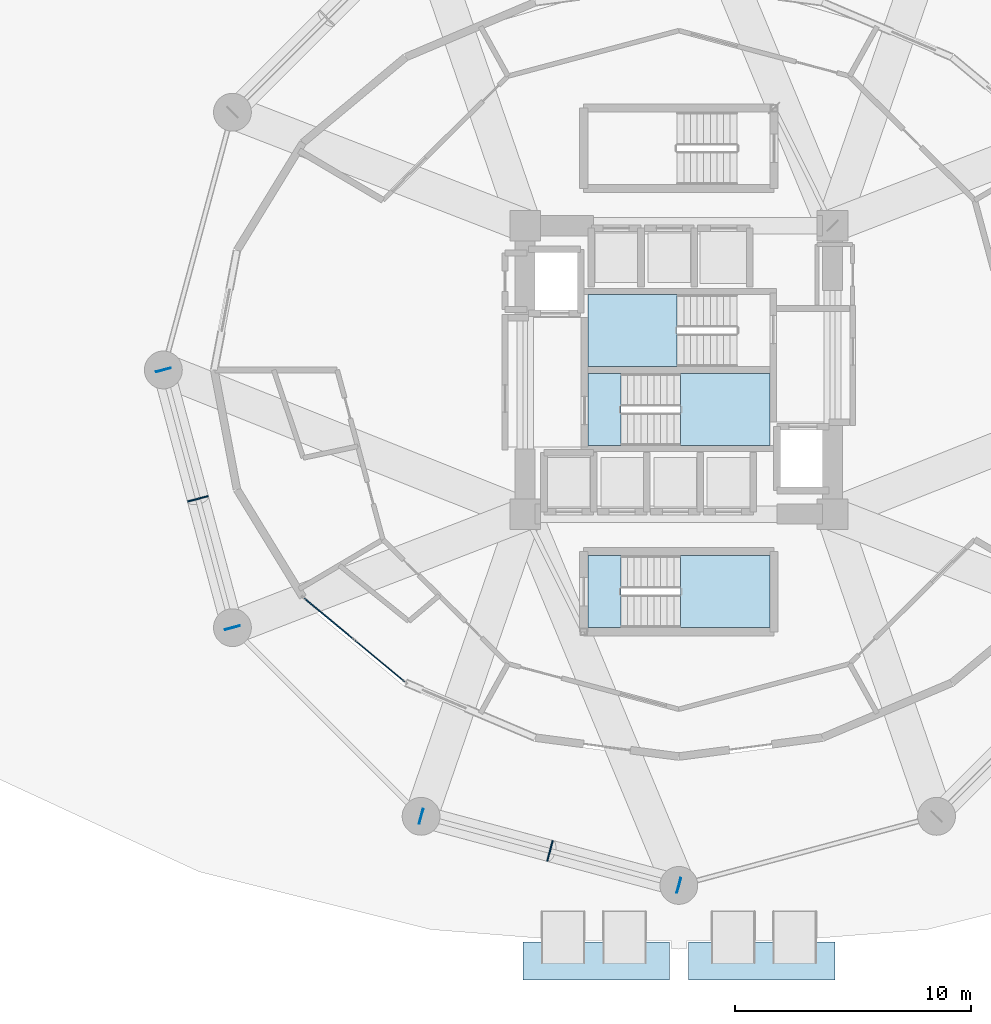
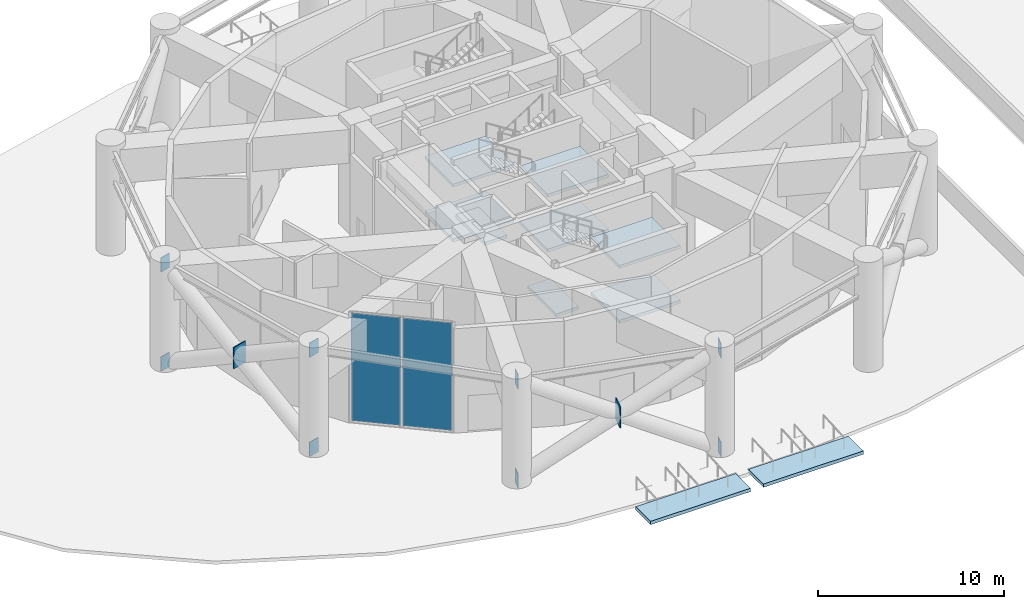
# One storey, part 6 of 16: 12 plates, 10 slabs, 4 elements without a shape of their own.
"""IFC4 building model written with IfcOpenShell, lengths in metres."""

from ifc_helpers import new_model, si_unit, direction, frame, origin, origin_2d, place, context, subcontext, project, spatial, polyline, rectangle, outline, extrude, source, transform, mapped, material, layer, layer_set, type_object, element, aggregate, save


model = new_model("IFC4")

# Units and contexts
model_context = context("Model", 3, precision=1e-05, world=origin(), true_north=direction((0.0, 1.0)))
body_context = subcontext(model_context, "Body", "Model", "MODEL_VIEW")
ifc_project = project(units=[si_unit("LENGTHUNIT", "METRE"), si_unit("AREAUNIT", "SQUARE_METRE"), si_unit("VOLUMEUNIT", "CUBIC_METRE"), si_unit("PLANEANGLEUNIT", "RADIAN"), si_unit("MASSUNIT", "GRAM", prefix="KILO")], contexts=[model_context])

# Site, building, storey
site_placement = place(None, origin())
site = spatial("IfcSite", under=ifc_project, at=site_placement, CompositionType="ELEMENT")
building_placement = place(site_placement, origin())
building = spatial("IfcBuilding", under=site, at=building_placement, Name="Solvirekh Grand Hotel", CompositionType="ELEMENT")
storey_placement = place(building_placement, origin())
storey = spatial("IfcBuildingStorey", under=building, at=storey_placement, Name="L00", CompositionType="ELEMENT", Elevation=0.0)

# Slabs
ifc_material_1 = material(Name="Granite Stone Cladding", Category="masonry")
ifc_layer_1 = layer(ifc_material_1, 0.219970703125)
ifc_layer_set_1 = layer_set([ifc_layer_1], Name="Granite Stone Cladding")
slab_type_1 = type_object("IfcSlabType", Name="ExtPlazaPaving_220", PredefinedType="USERDEFINED", material=ifc_layer_set_1)
slab_1_placement = place(storey_placement, frame((0.0, 0.0, -0.219970703125)))
element("IfcSlab", 1, at=slab_1_placement, inside=storey, type_object=slab_type_1, Name="L00 entrance threshold paving apron 3", ObjectType="PAVING", PredefinedType="USERDEFINED", context=body_context, shape_type="SweptSolid", body=[
    extrude(outline(polyline([(-6.60009765625, -25.800048828125), (-0.39990234375, -25.800048828125), (-0.39990234375, -24.199951171875), (-6.60009765625, -24.199951171875), (-6.60009765625, -25.800048828125)])), origin(), (0.0, 0.0, 1.0), 0.219970703125),
])
slab_2_placement = place(storey_placement, frame((0.0, 0.0, -0.219970703125)))
element("IfcSlab", 2, at=slab_2_placement, inside=storey, type_object=slab_type_1, Name="L00 entrance threshold paving apron 4", ObjectType="PAVING", PredefinedType="USERDEFINED", context=body_context, shape_type="SweptSolid", body=[
    extrude(outline(polyline([(0.39990234375, -25.800048828125), (6.60009765625, -25.800048828125), (6.60009765625, -24.199951171875), (0.39990234375, -24.199951171875), (0.39990234375, -25.800048828125)])), origin(), (0.0, 0.0, 1.0), 0.219970703125),
])

# Plates
ifc_material_2 = material(Name="Steel S460", Category="steel")
ifc_layer_2 = layer(ifc_material_2, 0.06005859375)
ifc_layer_set_2 = layer_set([ifc_layer_2], Name="Steel S460")
plate_type_1 = type_object("IfcPlateType", Name="GussetPlate_60", PredefinedType="USERDEFINED", material=ifc_layer_set_2)
for number, where, z_axis, x_axis, name in (
    (3, (-20.340087890625, -5.449951171875, 2.699951171875), (0.0, 0.0, 1.0), (0.258819045103, -0.965925826289, 0.0), "L00 hollow-section node plate GP-L00-STILT-07"),
    (4, (-5.449951171875, -20.340087890625, 2.699951171875), (0.0, 0.0, 1.0), (0.965925826289, -0.258819045103, 0.0), "L00 hollow-section node plate GP-L00-STILT-09"),
):
    element("IfcPlate", number, at=place(storey_placement, frame(where, z_axis=z_axis, x_axis=x_axis)), inside=storey, type_object=plate_type_1, Name=name, ObjectType="GUSSET PLATE", PredefinedType="USERDEFINED", context=body_context, shape_type="SweptSolid", body=[
        extrude(rectangle(XDim=0.06005859375, YDim=0.89990234375, at=origin_2d()), origin(), (0.0, 0.0, 1.0), 1.39990234375),
    ])

# Stair, slabs
ifc_material_3 = material(Name="Concrete C40/50", Category="concrete")
stair_type_1 = type_object("IfcStairType", Name="Stair_Pod_1600", PredefinedType="HALF_TURN_STAIR", material=ifc_material_3)
stair_1_placement = place(storey_placement, origin())
stair_1 = element("IfcStair", 5, at=stair_1_placement, inside=storey, type_object=stair_type_1, Name="L00 Enclosed exit stair ST-3", PredefinedType="HALF_TURN_STAIR")
ifc_layer_3 = layer(ifc_material_3, 0.219970703125)
ifc_layer_set_3 = layer_set([ifc_layer_3], Name="Concrete C40/50")
slab_type_2 = type_object("IfcSlabType", Name="Landing_PodStair_220", PredefinedType="LANDING", material=ifc_layer_set_3)
slab_3_placement = place(storey_placement, frame((0.0, 0.0, 1.60009765625)))
slab_3 = element("IfcSlab", 6, at=slab_3_placement, type_object=slab_type_2, Name="ST-3 landing 1", PredefinedType="LANDING", context=body_context, shape_type="SweptSolid", body=[
    extrude(outline(polyline([(0.070068359375, -10.89990234375), (3.85009765625, -10.89990234375), (3.85009765625, -7.85009765625), (0.070068359375, -7.85009765625), (0.070068359375, -10.89990234375)])), origin(), (0.0, 0.0, 1.0), 0.199951171875),
])
slab_4_placement = place(storey_placement, frame((0.0, 0.0, 3.39990234375)))
slab_4 = element("IfcSlab", 7, at=slab_4_placement, type_object=slab_type_2, Name="ST-3 landing 2", PredefinedType="LANDING", context=body_context, shape_type="SweptSolid", body=[
    extrude(outline(polyline([(-3.85009765625, -10.89990234375), (-2.449951171875, -10.89990234375), (-2.449951171875, -7.85009765625), (-3.85009765625, -7.85009765625), (-3.85009765625, -10.89990234375)])), origin(), (0.0, 0.0, 1.0), 0.2001953125),
])
slab_5_placement = place(storey_placement, frame((0.0, 0.0, 5.199951171875)))
slab_5 = element("IfcSlab", 8, at=slab_5_placement, type_object=slab_type_2, Name="ST-3 landing 3", PredefinedType="LANDING", context=body_context, shape_type="SweptSolid", body=[
    extrude(outline(polyline([(0.070068359375, -10.89990234375), (3.85009765625, -10.89990234375), (3.85009765625, -7.85009765625), (0.070068359375, -7.85009765625), (0.070068359375, -10.89990234375)])), origin(), (0.0, 0.0, 1.0), 0.199951171875),
])
aggregate(stair_1, [slab_3, slab_4, slab_5])

stair_type_2 = type_object("IfcStairType", Name="Stair_Core_1450", PredefinedType="HALF_TURN_STAIR", material=ifc_material_3)
stair_2_placement = place(storey_placement, origin())
stair_2 = element("IfcStair", 9, at=stair_2_placement, inside=storey, type_object=stair_type_2, Name="L00 Enclosed exit stair ST-1", PredefinedType="HALF_TURN_STAIR")
ifc_layer_4 = layer(ifc_material_3, 0.199951171875)
ifc_layer_set_4 = layer_set([ifc_layer_4], Name="Concrete C40/50")
slab_type_3 = type_object("IfcSlabType", Name="Landing_Stair_200", PredefinedType="LANDING", material=ifc_layer_set_4)
slab_6_placement = place(storey_placement, frame((0.0, 0.0, 1.60009765625)))
slab_6 = element("IfcSlab", 10, at=slab_6_placement, type_object=slab_type_3, Name="ST-1 landing 1", PredefinedType="LANDING", context=body_context, shape_type="SweptSolid", body=[
    extrude(outline(polyline([(0.070068359375, -3.199951171875), (3.85009765625, -3.199951171875), (3.85009765625, -0.14990234375), (0.070068359375, -0.14990234375), (0.070068359375, -3.199951171875)])), origin(), (0.0, 0.0, 1.0), 0.199951171875),
])
slab_7_placement = place(storey_placement, frame((0.0, 0.0, 3.39990234375)))
slab_7 = element("IfcSlab", 11, at=slab_7_placement, type_object=slab_type_3, Name="ST-1 landing 2", PredefinedType="LANDING", context=body_context, shape_type="SweptSolid", body=[
    extrude(outline(polyline([(-3.85009765625, -3.199951171875), (-2.449951171875, -3.199951171875), (-2.449951171875, -0.14990234375), (-3.85009765625, -0.14990234375), (-3.85009765625, -3.199951171875)])), origin(), (0.0, 0.0, 1.0), 0.2001953125),
])
slab_8_placement = place(storey_placement, frame((0.0, 0.0, 5.199951171875)))
slab_8 = element("IfcSlab", 12, at=slab_8_placement, type_object=slab_type_3, Name="ST-1 landing 3", PredefinedType="LANDING", context=body_context, shape_type="SweptSolid", body=[
    extrude(outline(polyline([(0.070068359375, -3.199951171875), (3.85009765625, -3.199951171875), (3.85009765625, -0.14990234375), (0.070068359375, -0.14990234375), (0.070068359375, -3.199951171875)])), origin(), (0.0, 0.0, 1.0), 0.199951171875),
])
aggregate(stair_2, [slab_6, slab_7, slab_8])

stair_3_placement = place(storey_placement, origin())
stair_3 = element("IfcStair", 13, at=stair_3_placement, inside=storey, type_object=stair_type_2, Name="L00 Enclosed exit stair ST-2", PredefinedType="HALF_TURN_STAIR")
slab_9_placement = place(storey_placement, frame((0.0, 0.0, 1.60009765625)))
slab_9 = element("IfcSlab", 14, at=slab_9_placement, type_object=slab_type_3, Name="ST-2 landing 1", PredefinedType="LANDING", context=body_context, shape_type="SweptSolid", body=[
    extrude(outline(polyline([(-0.070068359375, 3.199951171875), (-3.85009765625, 3.199951171875), (-3.85009765625, 0.14990234375), (-0.070068359375, 0.14990234375), (-0.070068359375, 3.199951171875)])), origin(), (0.0, 0.0, 1.0), 0.199951171875),
])
slab_10_placement = place(storey_placement, frame((0.0, 0.0, 5.199951171875)))
slab_10 = element("IfcSlab", 15, at=slab_10_placement, type_object=slab_type_3, Name="ST-2 landing 3", PredefinedType="LANDING", context=body_context, shape_type="SweptSolid", body=[
    extrude(outline(polyline([(-0.070068359375, 3.199951171875), (-3.85009765625, 3.199951171875), (-3.85009765625, 0.14990234375), (-0.070068359375, 0.14990234375), (-0.070068359375, 3.199951171875)])), origin(), (0.0, 0.0, 1.0), 0.199951171875),
])
aggregate(stair_3, [slab_9, slab_10])

# Plates
ifc_material_4 = material(Name="Steel S355", Category="steel")
ifc_layer_5 = layer(ifc_material_4, 0.0400390625)
ifc_layer_set_5 = layer_set([ifc_layer_5], Name="Steel S355")
plate_type_2 = type_object("IfcPlateType", Name="NodeCapPlate_40", PredefinedType="SHEET", material=ifc_layer_set_5)
for number, where, z_axis, x_axis, name in (
    (16, (-21.800048828125, 0.0, -0.3251953125), (0.0, 0.0, 1.0), (0.258819045103, -0.965925826289, 0.0), "L00 hollow-section node plate NP-L00-STILT-07-A0"),
    (17, (-18.87890625, -10.89990234375, 6.1748046875), (0.0, 0.0, 1.0), (0.258819045103, -0.965925826289, 0.0), "L00 hollow-section node plate NP-L00-STILT-07-A1"),
    (18, (-18.87890625, -10.89990234375, -0.3251953125), (0.0, 0.0, 1.0), (0.258819045103, -0.965925826289, 0.0), "L00 hollow-section node plate NP-L00-STILT-07-B0"),
    (19, (-21.800048828125, 0.0, 6.1748046875), (0.0, 0.0, 1.0), (0.258819045103, -0.965925826289, 0.0), "L00 hollow-section node plate NP-L00-STILT-07-B1"),
    (20, (-10.89990234375, -18.87890625, -0.3251953125), (0.0, 0.0, 1.0), (0.965925826289, -0.258819045103, 0.0), "L00 hollow-section node plate NP-L00-STILT-09-A0"),
    (21, (0.0, -21.800048828125, 6.1748046875), (0.0, 0.0, 1.0), (0.965925826289, -0.258819045103, 0.0), "L00 hollow-section node plate NP-L00-STILT-09-A1"),
    (22, (0.0, -21.800048828125, -0.3251953125), (0.0, 0.0, 1.0), (0.965925826289, -0.258819045103, 0.0), "L00 hollow-section node plate NP-L00-STILT-09-B0"),
    (23, (-10.89990234375, -18.87890625, 6.1748046875), (0.0, 0.0, 1.0), (0.965925826289, -0.258819045103, 0.0), "L00 hollow-section node plate NP-L00-STILT-09-B1"),
):
    element("IfcPlate", number, at=place(storey_placement, frame(where, z_axis=z_axis, x_axis=x_axis)), inside=storey, type_object=plate_type_2, Name=name, PredefinedType="SHEET", context=body_context, shape_type="SweptSolid", body=[
        extrude(rectangle(XDim=0.0400390625, YDim=0.64990234375, at=origin_2d()), origin(), (0.0, 0.0, 1.0), 0.949951171875),
    ])

# Curtain wall, plates
ifc_material_5 = material(Name="Anodized Bronze Aluminium 6063-T6", Category="aluminium")
ifc_layer_6 = layer(ifc_material_5, 0.219970703125)
ifc_layer_set_6 = layer_set([ifc_layer_6], Name="Anodized Bronze Aluminium 6063-T6")
curtain_wall_type = type_object("IfcCurtainWallType", Name="CW_Sys1_PodiumBronzeUnitised", PredefinedType="NOTDEFINED", material=ifc_layer_set_6)
curtain_wall_placement = place(storey_placement, origin())
curtain_wall = element("IfcCurtainWall", 24, at=curtain_wall_placement, inside=storey, type_object=curtain_wall_type, Name="L00 unitised bronze-glass curtain wall CW-L00-C13", PredefinedType="NOTDEFINED")
ifc_material_6 = material(Name="Low-E Tinted Bronze Laminated Glass", Category="aluminium")
ifc_layer_7 = layer(ifc_material_6, 0.0439453125)
ifc_layer_set_7 = layer_set([ifc_layer_7], Name="Low-E Tinted Bronze Laminated Glass")
plate_type_3 = type_object("IfcPlateType", Name="CWPanel_Podium_44", PredefinedType="CURTAIN_PANEL", material=ifc_layer_set_7)
shared_shape = source(origin(), body_context, "Body", "SweptSolid", [
    extrude(rectangle(XDim=2.715087890625, YDim=0.0439453125, at=origin_2d()), origin(), (0.0, 0.0, 1.0), 7.070068359375),
])
plate_1_placement = place(storey_placement, frame((-14.7958984375, -10.526123046875, 0.06494140625), z_axis=(0.0, 0.0, 1.0), x_axis=(0.768699387875, -0.639610233721, 0.0)))
plate_1 = element("IfcPlate", 25, at=plate_1_placement, type_object=plate_type_3, Name="U01 panel 1.1", PredefinedType="CURTAIN_PANEL", context=body_context, shape_type="MappedRepresentation", body=[
    mapped(shared_shape, transform((0.0, 0.0, 0.0), x_axis=(1.0, 0.0, 0.0), y_axis=(0.0, 1.0, 0.0), z_axis=(0.0, 0.0, 1.0), scale=1.0)),
])
plate_2_placement = place(storey_placement, frame((-12.651123046875, -12.310791015625, 0.06494140625), z_axis=(0.0, 0.0, 1.0), x_axis=(0.768699387875, -0.639610233721, 0.0)))
plate_2 = element("IfcPlate", 26, at=plate_2_placement, type_object=plate_type_3, Name="U01 panel 2.1", PredefinedType="CURTAIN_PANEL", context=body_context, shape_type="MappedRepresentation", body=[
    mapped(shared_shape, transform((0.0, 0.0, 0.0), x_axis=(1.0, 0.0, 0.0), y_axis=(0.0, 1.0, 0.0), z_axis=(0.0, 0.0, 1.0), scale=1.0)),
])
aggregate(curtain_wall, [plate_1, plate_2])

save(model, "model.ifc")
